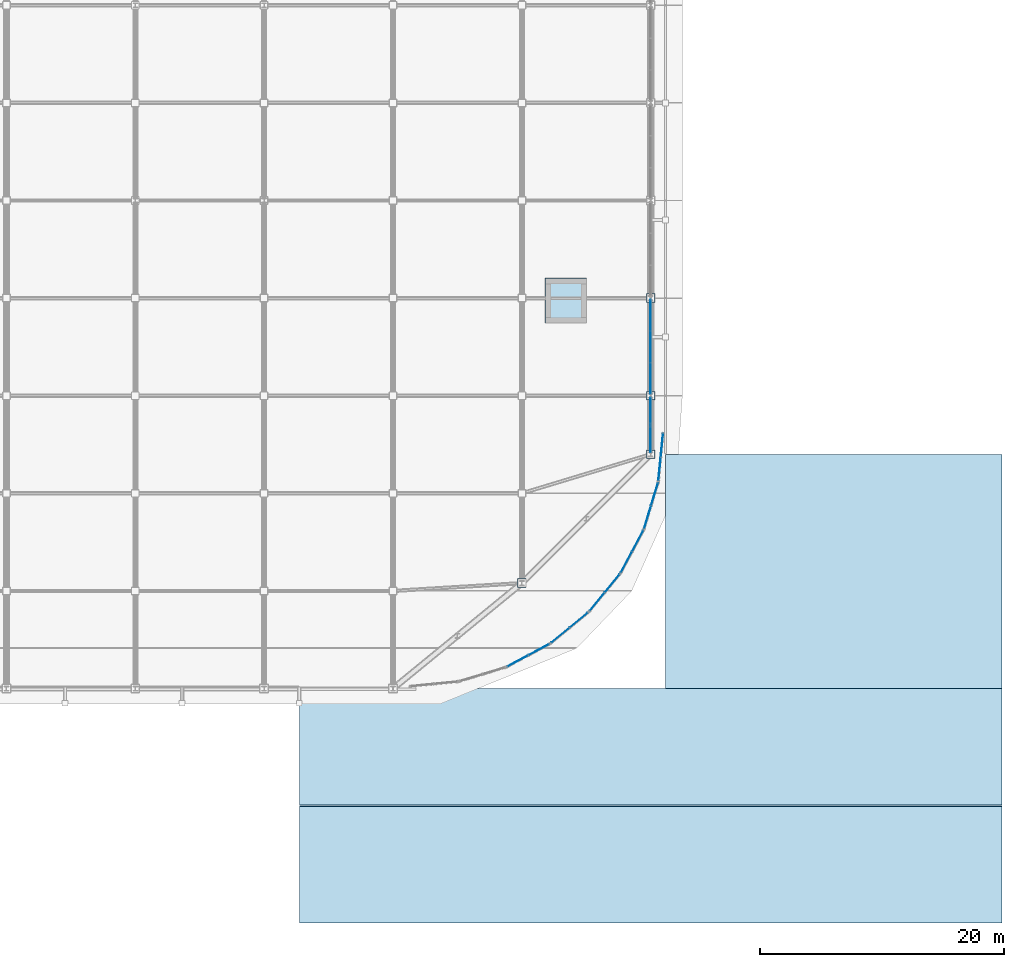
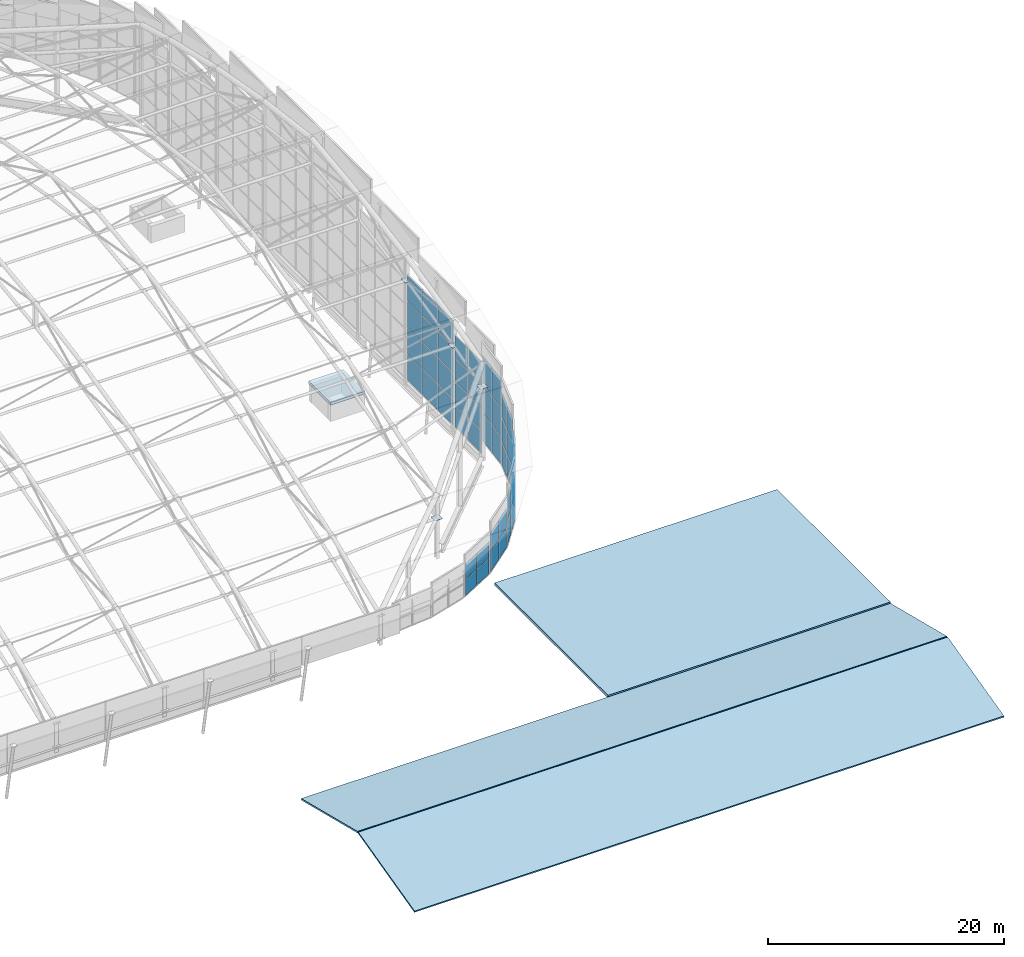
# One storey, part 34 of 42: 54 plates, 4 slabs, 9 elements without a shape of their own.
"""IFC4 building model written with IfcOpenShell, lengths in metres."""

import ifcopenshell
import ifcopenshell.guid

model = None  # the IFC model being written
_history = None  # IfcOwnerHistory: only IFC2X3 demands one
_inside = {}  # id of a spatial element -> (the spatial element, [elements in it])
_under = {}  # id of a project, library or spatial element -> (it, [spatial elements below it])
_declared = {}  # id of a project -> (the project, [libraries it declares])
_typed = {}  # id of a type object -> (the type object, [elements of that type])
_made_of = {}  # id of a material, layer set ... -> (it, [elements and type objects made of it])


def new_model(schema):
    """Start an empty IFC model of exactly this schema.

    Asked for "IFC4X3", IfcOpenShell would pick the latest addendum, in which some entities
    have other attributes; the version numbers below select the first issue.
    IFC2X3 requires an IfcOwnerHistory on every rooted entity: one is made here for all.
    """
    global model, _history
    if schema == "IFC4X3":
        model = ifcopenshell.file(schema_version=(4, 3, 0, 0))
    else:
        model = ifcopenshell.file(schema=schema)
    _inside.clear()
    _under.clear()
    _declared.clear()
    _typed.clear()
    _made_of.clear()
    _history = None
    if model.schema == "IFC2X3":
        org = make("IfcOrganization", Name="unknown")
        user = make(
            "IfcPersonAndOrganization",
            ThePerson=make("IfcPerson", FamilyName="unknown"),
            TheOrganization=org,
        )
        app = make(
            "IfcApplication",
            ApplicationDeveloper=org,
            Version="unknown",
            ApplicationFullName="unknown",
            ApplicationIdentifier="unknown",
        )
        _history = make(
            "IfcOwnerHistory",
            OwningUser=user,
            OwningApplication=app,
            ChangeAction="ADDED",
            CreationDate=0,
        )
    return model


def make(cls, **values):
    """One entity of the class cls with the attributes given. An attribute that is None is left unset."""
    return model.create_entity(
        cls, **{name: value for name, value in values.items() if value is not None}
    )


def rooted(cls, **values):
    """An entity with a GlobalId (a new one), such as an element, a storey or a relation."""
    return make(cls, GlobalId=ifcopenshell.guid.new(), OwnerHistory=_history, **values)


def si_unit(unit_type, name, prefix=None):
    """IfcSIUnit, for example si_unit("LENGTHUNIT", "METRE", prefix="MILLI")."""
    return make("IfcSIUnit", UnitType=unit_type, Prefix=prefix, Name=name)


def assignment(units):
    """IfcUnitAssignment: the units of a project."""
    return None if units is None else make("IfcUnitAssignment", Units=units)


def point(xyz):
    """IfcCartesianPoint."""
    return None if xyz is None else make("IfcCartesianPoint", Coordinates=xyz)


def direction(xyz):
    """IfcDirection."""
    return None if xyz is None else make("IfcDirection", DirectionRatios=xyz)


def frame(location, z_axis=None, x_axis=None):
    """IfcAxis2Placement3D, a coordinate frame: its origin and axes. An axis left out is left unset."""
    return make(
        "IfcAxis2Placement3D",
        Location=point(location),
        Axis=direction(z_axis),
        RefDirection=direction(x_axis),
    )


def frame_2d(location, x_axis=None):
    """IfcAxis2Placement2D, a coordinate frame in the plane: its origin and x axis."""
    return make(
        "IfcAxis2Placement2D", Location=point(location), RefDirection=direction(x_axis)
    )


def origin():
    """The frame at (0, 0, 0) with its axes left unset."""
    return frame((0.0, 0.0, 0.0))


def origin_2d():
    """The frame at (0, 0) in the plane with its x axis left unset."""
    return frame_2d((0.0, 0.0))


def place(relative_to, where):
    """IfcLocalPlacement: puts the frame where relative to a parent placement (None: the world)."""
    return make(
        "IfcLocalPlacement", PlacementRelTo=relative_to, RelativePlacement=where
    )


def context(
    kind, dimensions, precision=None, world=None, true_north=None, identifier=None
):
    """IfcGeometricRepresentationContext, for example the 3D "Model" context."""
    return make(
        "IfcGeometricRepresentationContext",
        ContextIdentifier=identifier,
        ContextType=kind,
        CoordinateSpaceDimension=dimensions,
        Precision=precision,
        WorldCoordinateSystem=world,
        TrueNorth=true_north,
    )


def subcontext(parent, identifier, kind, view, scale=None):
    """IfcGeometricRepresentationSubContext, for example "Body" below "Model"."""
    return make(
        "IfcGeometricRepresentationSubContext",
        ContextIdentifier=identifier,
        ContextType=kind,
        ParentContext=parent,
        TargetScale=scale,
        TargetView=view,
    )


def project(units=None, contexts=None):
    """IfcProject with its units and contexts."""
    return rooted(
        "IfcProject",
        Name="project",
        RepresentationContexts=contexts,
        UnitsInContext=assignment(units),
    )


def spatial(cls, under=None, at=None, **own):
    """A site, building, storey or space (cls), placed at a placement, below another one or the project."""
    s = rooted(cls, ObjectPlacement=at, **own)
    if under is not None:
        _under.setdefault(under.id(), (under, []))[1].append(s)
    return s


def polyline(points):
    """IfcPolyline through the points."""
    return make("IfcPolyline", Points=[point(p) for p in points])


def profile(cls, at=None, kind="AREA", **sizes):
    """A parametric profile (cls). Its sizes go by their IFC names, for example OverallWidth=200.0."""
    return make(cls, ProfileType=kind, Position=at, **sizes)


def rectangle(**sizes):
    """IfcRectangleProfileDef."""
    return profile("IfcRectangleProfileDef", **sizes)


def outline(outer, holes=None, kind="AREA"):
    """IfcArbitraryClosedProfileDef: a profile drawn as a closed curve; with holes, ...WithVoids."""
    if holes is None:
        return make("IfcArbitraryClosedProfileDef", ProfileType=kind, OuterCurve=outer)
    return make(
        "IfcArbitraryProfileDefWithVoids",
        ProfileType=kind,
        OuterCurve=outer,
        InnerCurves=holes,
    )


def extrude(swept, where, along, depth):
    """IfcExtrudedAreaSolid: the profile swept, set in the frame where, extruded along a direction by depth."""
    return make(
        "IfcExtrudedAreaSolid",
        SweptArea=swept,
        Position=where,
        ExtrudedDirection=direction(along),
        Depth=depth,
    )


def shape(context_of_items, identifier, shape_type, items):
    """IfcShapeRepresentation: the items that make up one representation, for example the "Body"."""
    return make(
        "IfcShapeRepresentation",
        ContextOfItems=context_of_items,
        RepresentationIdentifier=identifier,
        RepresentationType=shape_type,
        Items=items,
    )


def material(Name=None, Category=None):
    """IfcMaterial."""
    return make("IfcMaterial", Name=Name, Category=Category)


def layer(
    of_material, thickness, ventilated=None, Name=None, Category=None, Priority=None
):
    """IfcMaterialLayer: one layer of a wall or slab, of a material (None: an air gap)."""
    return make(
        "IfcMaterialLayer",
        Material=of_material,
        LayerThickness=thickness,
        IsVentilated=ventilated,
        Name=Name,
        Category=Category,
        Priority=Priority,
    )


def layer_set(layers, Name=None):
    """IfcMaterialLayerSet."""
    return make("IfcMaterialLayerSet", MaterialLayers=layers, LayerSetName=Name)


def made_of(thing, what):
    """Note that an element or type object is made of a material, layer set ...; save() writes the relation."""
    if what is not None:
        _made_of.setdefault(what.id(), (what, []))[1].append(thing)
    return thing


def type_object(cls, material=None, **own):
    """A type object (cls), such as IfcWallType, which elements share."""
    return made_of(rooted(cls, **own), material)


def element(
    cls,
    number,
    at=None,
    inside=None,
    cuts=None,
    type_object=None,
    material=None,
    context=None,
    identifier="Body",
    shape_type=None,
    held_by="IfcProductDefinitionShape",
    body=None,
    shapes=None,
    **own,
):
    """One element of the class cls, such as IfcWall. Its Tag is "e" and its number.

    at: its placement. inside: the storey or other place that contains it. cuts: it is an
    opening in that element (IfcRelVoidsElement). A single representation is given by context,
    identifier, shape_type and body (its items); several are given by shapes. held_by: the class
    of the entity that holds the representations. save() writes the other relations.
    """
    e = rooted(cls, Tag="e%d" % number, ObjectPlacement=at, **own)
    if body is not None:
        shapes = [shape(context, identifier, shape_type, body)]
    if shapes is not None:
        e.Representation = make(held_by, Representations=shapes)
    if inside is not None:
        _inside.setdefault(inside.id(), (inside, []))[1].append(e)
    if cuts is not None:
        rooted(
            "IfcRelVoidsElement", RelatingBuildingElement=cuts, RelatedOpeningElement=e
        )
    if type_object is not None:
        _typed.setdefault(type_object.id(), (type_object, []))[1].append(e)
    return made_of(e, material)


def aggregate(whole, parts):
    """IfcRelAggregates: a whole, such as a stair, and the parts it consists of."""
    return rooted("IfcRelAggregates", RelatingObject=whole, RelatedObjects=parts)


def save(model, path):
    """Write the relations noted so far, then the file.

    IfcRelAggregates (storeys below a building ...), IfcRelContainedInSpatialStructure (elements
    in a storey), IfcRelDefinesByType, IfcRelAssociatesMaterial and IfcRelDeclares: one each for
    every whole, place, type object, material and project.
    """
    for whole, parts in _under.values():
        aggregate(whole, parts)
    for where, things in _inside.values():
        rooted(
            "IfcRelContainedInSpatialStructure",
            RelatedElements=things,
            RelatingStructure=where,
        )
    for kind, things in _typed.values():
        rooted("IfcRelDefinesByType", RelatedObjects=things, RelatingType=kind)
    for what, things in _made_of.values():
        rooted("IfcRelAssociatesMaterial", RelatedObjects=things, RelatingMaterial=what)
    for by, libraries in _declared.values():
        rooted("IfcRelDeclares", RelatingContext=by, RelatedDefinitions=libraries)
    model.write(path)


model = new_model("IFC4")

# Units and contexts
model_context = context("Model", 3, precision=1e-05, world=origin(), true_north=direction((0.0, 1.0)))
body_context = subcontext(model_context, "Body", "Model", "MODEL_VIEW")
ifc_project = project(units=[si_unit("LENGTHUNIT", "METRE"), si_unit("AREAUNIT", "SQUARE_METRE"), si_unit("VOLUMEUNIT", "CUBIC_METRE"), si_unit("PLANEANGLEUNIT", "RADIAN"), si_unit("MASSUNIT", "GRAM", prefix="KILO")], contexts=[model_context])

# Site, building, storey
site_placement = place(None, origin())
site = spatial("IfcSite", under=ifc_project, at=site_placement, CompositionType="ELEMENT")
building_placement = place(site_placement, origin())
building = spatial("IfcBuilding", under=site, at=building_placement, Name="Caelomonte Colonnade Arena", CompositionType="ELEMENT")
storey_placement = place(building_placement, frame((0.0, 0.0, 28.199951171875)))
storey = spatial("IfcBuildingStorey", under=building, at=storey_placement, Name="RF", CompositionType="ELEMENT", Elevation=28.199951171875)

# Curtain wall, plates
ifc_material_1 = material(Name="Bronze anodised aluminium and low-E glazing", Category="aluminium")
ifc_layer_1 = layer(ifc_material_1, 0.179931640625)
ifc_layer_set_1 = layer_set([ifc_layer_1], Name="Bronze anodised aluminium and low-E glazing")
curtain_wall_type_1 = type_object("IfcCurtainWallType", Name="ENV-CW-CW-TYMP-01", PredefinedType="USERDEFINED", material=ifc_layer_set_1)
curtain_wall_1_placement = place(storey_placement, origin())
curtain_wall_1 = element("IfcCurtainWall", 1, at=curtain_wall_1_placement, inside=storey, type_object=curtain_wall_type_1, Name="Barrel arch E clerestory tympanum curtain wall 1", ObjectType="UNITIZED CURTAIN WALL", PredefinedType="USERDEFINED")
ifc_material_2 = material(Name="Solar-control bronze low-E double glazing", Category="glass")
ifc_layer_2 = layer(ifc_material_2, 0.035888671875)
ifc_layer_set_2 = layer_set([ifc_layer_2], Name="Solar-control bronze low-E double glazing")
plate_type_1 = type_object("IfcPlateType", Name="ENV-CW-PAN36", PredefinedType="CURTAIN_PANEL", material=ifc_layer_set_2)
plate_1_placement = place(storey_placement, frame((163.199951171875, 39.657470703125, -0.080078125), z_axis=(0.0, 0.0, 1.0), x_axis=(0.0, 1.0, 0.0)))
plate_1 = element("IfcPlate", 2, at=plate_1_placement, type_object=plate_type_1, Name="CW-TYMP-01 panel 1.1", PredefinedType="CURTAIN_PANEL", context=body_context, shape_type="SweptSolid", body=[
    extrude(rectangle(XDim=2.215087890625, YDim=0.035888671875, at=origin_2d()), origin(), (0.0, 0.0, 1.0), 2.298583984375),
])
plate_2_placement = place(storey_placement, frame((163.199951171875, 39.657470703125, 2.28857421875), z_axis=(0.0, 0.0, 1.0), x_axis=(0.0, 1.0, 0.0)))
plate_2 = element("IfcPlate", 3, at=plate_2_placement, type_object=plate_type_1, Name="CW-TYMP-01 panel 1.2", PredefinedType="CURTAIN_PANEL", context=body_context, shape_type="SweptSolid", body=[
    extrude(rectangle(XDim=2.215087890625, YDim=0.035888671875, at=origin_2d()), origin(), (0.0, 0.0, 1.0), 2.333740234375),
])
plate_3_placement = place(storey_placement, frame((163.199951171875, 39.657470703125, 4.6923828125), z_axis=(0.0, 0.0, 1.0), x_axis=(0.0, 1.0, 0.0)))
plate_3 = element("IfcPlate", 4, at=plate_3_placement, type_object=plate_type_1, Name="CW-TYMP-01 panel 1.3", PredefinedType="CURTAIN_PANEL", context=body_context, shape_type="SweptSolid", body=[
    extrude(rectangle(XDim=2.215087890625, YDim=0.035888671875, at=origin_2d()), origin(), (0.0, 0.0, 1.0), 2.333740234375),
])
plate_4_placement = place(storey_placement, frame((163.199951171875, 39.657470703125, 7.09619140625), z_axis=(0.0, 0.0, 1.0), x_axis=(0.0, 1.0, 0.0)))
plate_4 = element("IfcPlate", 5, at=plate_4_placement, type_object=plate_type_1, Name="CW-TYMP-01 panel 1.4", PredefinedType="CURTAIN_PANEL", context=body_context, shape_type="SweptSolid", body=[
    extrude(rectangle(XDim=2.215087890625, YDim=0.035888671875, at=origin_2d()), origin(), (0.0, 0.0, 1.0), 2.298583984375),
])
plate_5_placement = place(storey_placement, frame((163.199951171875, 41.9423828125, -0.080078125), z_axis=(0.0, 0.0, 1.0), x_axis=(0.0, 1.0, 0.0)))
plate_5 = element("IfcPlate", 6, at=plate_5_placement, type_object=plate_type_1, Name="CW-TYMP-01 panel 2.1", PredefinedType="CURTAIN_PANEL", context=body_context, shape_type="SweptSolid", body=[
    extrude(rectangle(XDim=2.215087890625, YDim=0.035888671875, at=origin_2d()), origin(), (0.0, 0.0, 1.0), 2.298583984375),
])
plate_6_placement = place(storey_placement, frame((163.199951171875, 41.9423828125, 2.28857421875), z_axis=(0.0, 0.0, 1.0), x_axis=(0.0, 1.0, 0.0)))
plate_6 = element("IfcPlate", 7, at=plate_6_placement, type_object=plate_type_1, Name="CW-TYMP-01 panel 2.2", PredefinedType="CURTAIN_PANEL", context=body_context, shape_type="SweptSolid", body=[
    extrude(rectangle(XDim=2.215087890625, YDim=0.035888671875, at=origin_2d()), origin(), (0.0, 0.0, 1.0), 2.333740234375),
])
plate_7_placement = place(storey_placement, frame((163.199951171875, 41.9423828125, 4.6923828125), z_axis=(0.0, 0.0, 1.0), x_axis=(0.0, 1.0, 0.0)))
plate_7 = element("IfcPlate", 8, at=plate_7_placement, type_object=plate_type_1, Name="CW-TYMP-01 panel 2.3", PredefinedType="CURTAIN_PANEL", context=body_context, shape_type="SweptSolid", body=[
    extrude(rectangle(XDim=2.215087890625, YDim=0.035888671875, at=origin_2d()), origin(), (0.0, 0.0, 1.0), 2.333740234375),
])
plate_8_placement = place(storey_placement, frame((163.199951171875, 41.9423828125, 7.09619140625), z_axis=(0.0, 0.0, 1.0), x_axis=(0.0, 1.0, 0.0)))
plate_8 = element("IfcPlate", 9, at=plate_8_placement, type_object=plate_type_1, Name="CW-TYMP-01 panel 2.4", PredefinedType="CURTAIN_PANEL", context=body_context, shape_type="SweptSolid", body=[
    extrude(rectangle(XDim=2.215087890625, YDim=0.035888671875, at=origin_2d()), origin(), (0.0, 0.0, 1.0), 2.298583984375),
])
aggregate(curtain_wall_1, [plate_1, plate_2, plate_3, plate_4, plate_5, plate_6, plate_7, plate_8])

ifc_layer_3 = layer(ifc_material_1, 0.179931640625)
ifc_layer_set_3 = layer_set([ifc_layer_3], Name="Bronze anodised aluminium and low-E glazing")
curtain_wall_type_2 = type_object("IfcCurtainWallType", Name="ENV-CW-CW-TYMP-02", PredefinedType="USERDEFINED", material=ifc_layer_set_3)
curtain_wall_2_placement = place(storey_placement, origin())
curtain_wall_2 = element("IfcCurtainWall", 10, at=curtain_wall_2_placement, inside=storey, type_object=curtain_wall_type_2, Name="Barrel arch E clerestory tympanum curtain wall 2", ObjectType="UNITIZED CURTAIN WALL", PredefinedType="USERDEFINED")
plate_9_placement = place(storey_placement, frame((163.199951171875, 44.604248046875, -0.079833984375), z_axis=(0.0, 0.0, 1.0), x_axis=(0.0, 1.0, 0.0)))
plate_9 = element("IfcPlate", 11, at=plate_9_placement, type_object=plate_type_1, Name="CW-TYMP-02 panel 1.1", PredefinedType="CURTAIN_PANEL", context=body_context, shape_type="SweptSolid", body=[
    extrude(rectangle(XDim=2.50830078125, YDim=0.035888671875, at=origin_2d()), origin(), (0.0, 0.0, 1.0), 2.63330078125),
])
plate_10_placement = place(storey_placement, frame((163.199951171875, 44.604248046875, 2.62353515625), z_axis=(0.0, 0.0, 1.0), x_axis=(0.0, 1.0, 0.0)))
plate_10 = element("IfcPlate", 12, at=plate_10_placement, type_object=plate_type_1, Name="CW-TYMP-02 panel 1.2", PredefinedType="CURTAIN_PANEL", context=body_context, shape_type="SweptSolid", body=[
    extrude(rectangle(XDim=2.50830078125, YDim=0.035888671875, at=origin_2d()), origin(), (0.0, 0.0, 1.0), 2.668212890625),
])
plate_11_placement = place(storey_placement, frame((163.199951171875, 44.604248046875, 5.361328125), z_axis=(0.0, 0.0, 1.0), x_axis=(0.0, 1.0, 0.0)))
plate_11 = element("IfcPlate", 13, at=plate_11_placement, type_object=plate_type_1, Name="CW-TYMP-02 panel 1.3", PredefinedType="CURTAIN_PANEL", context=body_context, shape_type="SweptSolid", body=[
    extrude(rectangle(XDim=2.50830078125, YDim=0.035888671875, at=origin_2d()), origin(), (0.0, 0.0, 1.0), 2.668212890625),
])
plate_12_placement = place(storey_placement, frame((163.199951171875, 44.604248046875, 8.099853515625), z_axis=(0.0, 0.0, 1.0), x_axis=(0.0, 1.0, 0.0)))
plate_12 = element("IfcPlate", 14, at=plate_12_placement, type_object=plate_type_1, Name="CW-TYMP-02 panel 1.4", PredefinedType="CURTAIN_PANEL", context=body_context, shape_type="SweptSolid", body=[
    extrude(rectangle(XDim=2.50830078125, YDim=0.035888671875, at=origin_2d()), origin(), (0.0, 0.0, 1.0), 2.63330078125),
])
plate_13_placement = place(storey_placement, frame((163.199951171875, 47.199951171875, -0.079833984375), z_axis=(0.0, 0.0, 1.0), x_axis=(0.0, 1.0, 0.0)))
plate_13 = element("IfcPlate", 15, at=plate_13_placement, type_object=plate_type_1, Name="CW-TYMP-02 panel 2.1", PredefinedType="CURTAIN_PANEL", context=body_context, shape_type="SweptSolid", body=[
    extrude(rectangle(XDim=2.543212890625, YDim=0.035888671875, at=origin_2d()), origin(), (0.0, 0.0, 1.0), 2.63330078125),
])
plate_14_placement = place(storey_placement, frame((163.199951171875, 47.199951171875, 2.62353515625), z_axis=(0.0, 0.0, 1.0), x_axis=(0.0, 1.0, 0.0)))
plate_14 = element("IfcPlate", 16, at=plate_14_placement, type_object=plate_type_1, Name="CW-TYMP-02 panel 2.2", PredefinedType="CURTAIN_PANEL", context=body_context, shape_type="SweptSolid", body=[
    extrude(rectangle(XDim=2.543212890625, YDim=0.035888671875, at=origin_2d()), origin(), (0.0, 0.0, 1.0), 2.668212890625),
])
plate_15_placement = place(storey_placement, frame((163.199951171875, 47.199951171875, 5.361328125), z_axis=(0.0, 0.0, 1.0), x_axis=(0.0, 1.0, 0.0)))
plate_15 = element("IfcPlate", 17, at=plate_15_placement, type_object=plate_type_1, Name="CW-TYMP-02 panel 2.3", PredefinedType="CURTAIN_PANEL", context=body_context, shape_type="SweptSolid", body=[
    extrude(rectangle(XDim=2.543212890625, YDim=0.035888671875, at=origin_2d()), origin(), (0.0, 0.0, 1.0), 2.668212890625),
])
plate_16_placement = place(storey_placement, frame((163.199951171875, 47.199951171875, 8.099853515625), z_axis=(0.0, 0.0, 1.0), x_axis=(0.0, 1.0, 0.0)))
plate_16 = element("IfcPlate", 18, at=plate_16_placement, type_object=plate_type_1, Name="CW-TYMP-02 panel 2.4", PredefinedType="CURTAIN_PANEL", context=body_context, shape_type="SweptSolid", body=[
    extrude(rectangle(XDim=2.543212890625, YDim=0.035888671875, at=origin_2d()), origin(), (0.0, 0.0, 1.0), 2.63330078125),
])
plate_17_placement = place(storey_placement, frame((163.199951171875, 49.7958984375, -0.079833984375), z_axis=(0.0, 0.0, 1.0), x_axis=(0.0, 1.0, 0.0)))
plate_17 = element("IfcPlate", 19, at=plate_17_placement, type_object=plate_type_1, Name="CW-TYMP-02 panel 3.1", PredefinedType="CURTAIN_PANEL", context=body_context, shape_type="SweptSolid", body=[
    extrude(rectangle(XDim=2.50830078125, YDim=0.035888671875, at=origin_2d()), origin(), (0.0, 0.0, 1.0), 2.63330078125),
])
plate_18_placement = place(storey_placement, frame((163.199951171875, 49.7958984375, 2.62353515625), z_axis=(0.0, 0.0, 1.0), x_axis=(0.0, 1.0, 0.0)))
plate_18 = element("IfcPlate", 20, at=plate_18_placement, type_object=plate_type_1, Name="CW-TYMP-02 panel 3.2", PredefinedType="CURTAIN_PANEL", context=body_context, shape_type="SweptSolid", body=[
    extrude(rectangle(XDim=2.50830078125, YDim=0.035888671875, at=origin_2d()), origin(), (0.0, 0.0, 1.0), 2.668212890625),
])
plate_19_placement = place(storey_placement, frame((163.199951171875, 49.7958984375, 5.361328125), z_axis=(0.0, 0.0, 1.0), x_axis=(0.0, 1.0, 0.0)))
plate_19 = element("IfcPlate", 21, at=plate_19_placement, type_object=plate_type_1, Name="CW-TYMP-02 panel 3.3", PredefinedType="CURTAIN_PANEL", context=body_context, shape_type="SweptSolid", body=[
    extrude(rectangle(XDim=2.50830078125, YDim=0.035888671875, at=origin_2d()), origin(), (0.0, 0.0, 1.0), 2.668212890625),
])
plate_20_placement = place(storey_placement, frame((163.199951171875, 49.7958984375, 8.099853515625), z_axis=(0.0, 0.0, 1.0), x_axis=(0.0, 1.0, 0.0)))
plate_20 = element("IfcPlate", 22, at=plate_20_placement, type_object=plate_type_1, Name="CW-TYMP-02 panel 3.4", PredefinedType="CURTAIN_PANEL", context=body_context, shape_type="SweptSolid", body=[
    extrude(rectangle(XDim=2.50830078125, YDim=0.035888671875, at=origin_2d()), origin(), (0.0, 0.0, 1.0), 2.63330078125),
])
aggregate(curtain_wall_2, [plate_9, plate_10, plate_11, plate_12, plate_13, plate_14, plate_15, plate_16, plate_17, plate_18, plate_19, plate_20])

ifc_layer_4 = layer(ifc_material_1, 0.179931640625)
ifc_layer_set_4 = layer_set([ifc_layer_4], Name="Bronze anodised aluminium and low-E glazing")
curtain_wall_type_3 = type_object("IfcCurtainWallType", Name="ENV-CW-CW-TYMPC-03-34", PredefinedType="USERDEFINED", material=ifc_layer_set_4)
curtain_wall_3_placement = place(storey_placement, origin())
curtain_wall_3 = element("IfcCurtainWall", 23, at=curtain_wall_3_placement, inside=storey, type_object=curtain_wall_type_3, Name="Barrel arch rounded corner clerestory curtain wall 3", ObjectType="UNITIZED CURTAIN WALL", PredefinedType="USERDEFINED")
plate_21_placement = place(storey_placement, frame((152.304931640625, 21.4658203125, -0.080078125), z_axis=(0.0, 0.0, 1.0), x_axis=(0.881924283795, 0.471391087795, 0.0)))
plate_21 = element("IfcPlate", 24, at=plate_21_placement, type_object=plate_type_1, Name="CW-TYMPC-03-34 panel 1.1", PredefinedType="CURTAIN_PANEL", context=body_context, shape_type="SweptSolid", body=[
    extrude(rectangle(XDim=1.8857421875, YDim=0.035888671875, at=origin_2d()), origin(), (0.0, 0.0, 1.0), 1.614990234375),
])
plate_22_placement = place(storey_placement, frame((152.304931640625, 21.4658203125, 1.60498046875), z_axis=(0.0, 0.0, 1.0), x_axis=(0.881924283795, 0.471391087795, 0.0)))
plate_22 = element("IfcPlate", 25, at=plate_22_placement, type_object=plate_type_1, Name="CW-TYMPC-03-34 panel 1.2", PredefinedType="CURTAIN_PANEL", context=body_context, shape_type="SweptSolid", body=[
    extrude(rectangle(XDim=1.8857421875, YDim=0.035888671875, at=origin_2d()), origin(), (0.0, 0.0, 1.0), 1.614990234375),
])
plate_23_placement = place(storey_placement, frame((154.029541015625, 22.3876953125, -0.080078125), z_axis=(0.0, 0.0, 1.0), x_axis=(0.881924283795, 0.471391087795, 0.0)))
plate_23 = element("IfcPlate", 26, at=plate_23_placement, type_object=plate_type_1, Name="CW-TYMPC-03-34 panel 2.1", PredefinedType="CURTAIN_PANEL", context=body_context, shape_type="SweptSolid", body=[
    extrude(rectangle(XDim=1.8857421875, YDim=0.035888671875, at=origin_2d()), origin(), (0.0, 0.0, 1.0), 1.614990234375),
])
plate_24_placement = place(storey_placement, frame((154.029541015625, 22.3876953125, 1.60498046875), z_axis=(0.0, 0.0, 1.0), x_axis=(0.881924283795, 0.471391087795, 0.0)))
plate_24 = element("IfcPlate", 27, at=plate_24_placement, type_object=plate_type_1, Name="CW-TYMPC-03-34 panel 2.2", PredefinedType="CURTAIN_PANEL", context=body_context, shape_type="SweptSolid", body=[
    extrude(rectangle(XDim=1.8857421875, YDim=0.035888671875, at=origin_2d()), origin(), (0.0, 0.0, 1.0), 1.614990234375),
])
aggregate(curtain_wall_3, [plate_21, plate_22, plate_23, plate_24])

ifc_layer_5 = layer(ifc_material_1, 0.179931640625)
ifc_layer_set_5 = layer_set([ifc_layer_5], Name="Bronze anodised aluminium and low-E glazing")
curtain_wall_type_4 = type_object("IfcCurtainWallType", Name="ENV-CW-CW-TYMPC-04-42", PredefinedType="USERDEFINED", material=ifc_layer_set_5)
curtain_wall_4_placement = place(storey_placement, origin())
curtain_wall_4 = element("IfcCurtainWall", 28, at=curtain_wall_4_placement, inside=storey, type_object=curtain_wall_type_4, Name="Barrel arch rounded corner clerestory curtain wall 4", ObjectType="UNITIZED CURTAIN WALL", PredefinedType="USERDEFINED")
plate_25_placement = place(storey_placement, frame((155.78857421875, 23.56298828125, -0.080078125), z_axis=(0.0, 0.0, 1.0), x_axis=(0.773000731835, 0.634405129694, 0.0)))
plate_25 = element("IfcPlate", 29, at=plate_25_placement, type_object=plate_type_1, Name="CW-TYMPC-04-42 panel 1.1", PredefinedType="CURTAIN_PANEL", context=body_context, shape_type="SweptSolid", body=[
    extrude(rectangle(XDim=1.8857421875, YDim=0.035888671875, at=origin_2d()), origin(), (0.0, 0.0, 1.0), 2.00634765625),
])
plate_26_placement = place(storey_placement, frame((155.78857421875, 23.56298828125, 1.99658203125), z_axis=(0.0, 0.0, 1.0), x_axis=(0.773000731835, 0.634405129694, 0.0)))
plate_26 = element("IfcPlate", 30, at=plate_26_placement, type_object=plate_type_1, Name="CW-TYMPC-04-42 panel 1.2", PredefinedType="CURTAIN_PANEL", context=body_context, shape_type="SweptSolid", body=[
    extrude(rectangle(XDim=1.8857421875, YDim=0.035888671875, at=origin_2d()), origin(), (0.0, 0.0, 1.0), 2.006103515625),
])
plate_27_placement = place(storey_placement, frame((157.30029296875, 24.8037109375, -0.080078125), z_axis=(0.0, 0.0, 1.0), x_axis=(0.773000731835, 0.634405129694, 0.0)))
plate_27 = element("IfcPlate", 31, at=plate_27_placement, type_object=plate_type_1, Name="CW-TYMPC-04-42 panel 2.1", PredefinedType="CURTAIN_PANEL", context=body_context, shape_type="SweptSolid", body=[
    extrude(rectangle(XDim=1.8857421875, YDim=0.035888671875, at=origin_2d()), origin(), (0.0, 0.0, 1.0), 2.00634765625),
])
plate_28_placement = place(storey_placement, frame((157.30029296875, 24.8037109375, 1.99658203125), z_axis=(0.0, 0.0, 1.0), x_axis=(0.773000731835, 0.634405129694, 0.0)))
plate_28 = element("IfcPlate", 32, at=plate_28_placement, type_object=plate_type_1, Name="CW-TYMPC-04-42 panel 2.2", PredefinedType="CURTAIN_PANEL", context=body_context, shape_type="SweptSolid", body=[
    extrude(rectangle(XDim=1.8857421875, YDim=0.035888671875, at=origin_2d()), origin(), (0.0, 0.0, 1.0), 2.006103515625),
])
aggregate(curtain_wall_4, [plate_25, plate_26, plate_27, plate_28])

ifc_layer_6 = layer(ifc_material_1, 0.179931640625)
ifc_layer_set_6 = layer_set([ifc_layer_6], Name="Bronze anodised aluminium and low-E glazing")
curtain_wall_type_5 = type_object("IfcCurtainWallType", Name="ENV-CW-CW-TYMPC-04-52", PredefinedType="USERDEFINED", material=ifc_layer_set_6)
curtain_wall_5_placement = place(storey_placement, origin())
curtain_wall_5 = element("IfcCurtainWall", 33, at=curtain_wall_5_placement, inside=storey, type_object=curtain_wall_type_5, Name="Barrel arch rounded corner clerestory curtain wall 5", ObjectType="UNITIZED CURTAIN WALL", PredefinedType="USERDEFINED")
plate_29_placement = place(storey_placement, frame((158.796142578125, 26.299560546875, -0.080078125), z_axis=(0.0, 0.0, 1.0), x_axis=(0.634405129694, 0.773000731835, 0.0)))
plate_29 = element("IfcPlate", 34, at=plate_29_placement, type_object=plate_type_1, Name="CW-TYMPC-04-52 panel 1.1", PredefinedType="CURTAIN_PANEL", context=body_context, shape_type="SweptSolid", body=[
    extrude(rectangle(XDim=1.8857421875, YDim=0.035888671875, at=origin_2d()), origin(), (0.0, 0.0, 1.0), 2.51318359375),
])
plate_30_placement = place(storey_placement, frame((158.796142578125, 26.299560546875, 2.50341796875), z_axis=(0.0, 0.0, 1.0), x_axis=(0.634405129694, 0.773000731835, 0.0)))
plate_30 = element("IfcPlate", 35, at=plate_30_placement, type_object=plate_type_1, Name="CW-TYMPC-04-52 panel 1.2", PredefinedType="CURTAIN_PANEL", context=body_context, shape_type="SweptSolid", body=[
    extrude(rectangle(XDim=1.8857421875, YDim=0.035888671875, at=origin_2d()), origin(), (0.0, 0.0, 1.0), 2.512939453125),
])
plate_31_placement = place(storey_placement, frame((160.036865234375, 27.811279296875, -0.080078125), z_axis=(0.0, 0.0, 1.0), x_axis=(0.634405129694, 0.773000731835, 0.0)))
plate_31 = element("IfcPlate", 36, at=plate_31_placement, type_object=plate_type_1, Name="CW-TYMPC-04-52 panel 2.1", PredefinedType="CURTAIN_PANEL", context=body_context, shape_type="SweptSolid", body=[
    extrude(rectangle(XDim=1.8857421875, YDim=0.035888671875, at=origin_2d()), origin(), (0.0, 0.0, 1.0), 2.51318359375),
])
plate_32_placement = place(storey_placement, frame((160.036865234375, 27.811279296875, 2.50341796875), z_axis=(0.0, 0.0, 1.0), x_axis=(0.634405129694, 0.773000731835, 0.0)))
plate_32 = element("IfcPlate", 37, at=plate_32_placement, type_object=plate_type_1, Name="CW-TYMPC-04-52 panel 2.2", PredefinedType="CURTAIN_PANEL", context=body_context, shape_type="SweptSolid", body=[
    extrude(rectangle(XDim=1.8857421875, YDim=0.035888671875, at=origin_2d()), origin(), (0.0, 0.0, 1.0), 2.512939453125),
])
aggregate(curtain_wall_5, [plate_29, plate_30, plate_31, plate_32])

ifc_layer_7 = layer(ifc_material_1, 0.179931640625)
ifc_layer_set_7 = layer_set([ifc_layer_7], Name="Bronze anodised aluminium and low-E glazing")
curtain_wall_type_6 = type_object("IfcCurtainWallType", Name="ENV-CW-CW-TYMPC-03-64", PredefinedType="USERDEFINED", material=ifc_layer_set_7)
curtain_wall_6_placement = place(storey_placement, origin())
curtain_wall_6 = element("IfcCurtainWall", 38, at=curtain_wall_6_placement, inside=storey, type_object=curtain_wall_type_6, Name="Barrel arch rounded corner clerestory curtain wall 6", ObjectType="UNITIZED CURTAIN WALL", PredefinedType="USERDEFINED")
plate_33_placement = place(storey_placement, frame((161.212158203125, 29.5703125, -0.080078125), z_axis=(0.0, 0.0, 1.0), x_axis=(0.471391087795, 0.881924283795, 0.0)))
plate_33 = element("IfcPlate", 39, at=plate_33_placement, type_object=plate_type_1, Name="CW-TYMPC-03-64 panel 1.1", PredefinedType="CURTAIN_PANEL", context=body_context, shape_type="SweptSolid", body=[
    extrude(rectangle(XDim=1.8857421875, YDim=0.035888671875, at=origin_2d()), origin(), (0.0, 0.0, 1.0), 2.031494140625),
])
plate_34_placement = place(storey_placement, frame((161.212158203125, 29.5703125, 2.021728515625), z_axis=(0.0, 0.0, 1.0), x_axis=(0.471391087795, 0.881924283795, 0.0)))
plate_34 = element("IfcPlate", 40, at=plate_34_placement, type_object=plate_type_1, Name="CW-TYMPC-03-64 panel 1.2", PredefinedType="CURTAIN_PANEL", context=body_context, shape_type="SweptSolid", body=[
    extrude(rectangle(XDim=1.8857421875, YDim=0.035888671875, at=origin_2d()), origin(), (0.0, 0.0, 1.0), 2.06640625),
])
plate_35_placement = place(storey_placement, frame((161.212158203125, 29.5703125, 4.158203125), z_axis=(0.0, 0.0, 1.0), x_axis=(0.471391087795, 0.881924283795, 0.0)))
plate_35 = element("IfcPlate", 41, at=plate_35_placement, type_object=plate_type_1, Name="CW-TYMPC-03-64 panel 1.3", PredefinedType="CURTAIN_PANEL", context=body_context, shape_type="SweptSolid", body=[
    extrude(rectangle(XDim=1.8857421875, YDim=0.035888671875, at=origin_2d()), origin(), (0.0, 0.0, 1.0), 2.031494140625),
])
plate_36_placement = place(storey_placement, frame((162.134033203125, 31.295166015625, -0.080078125), z_axis=(0.0, 0.0, 1.0), x_axis=(0.471391087795, 0.881924283795, 0.0)))
plate_36 = element("IfcPlate", 42, at=plate_36_placement, type_object=plate_type_1, Name="CW-TYMPC-03-64 panel 2.1", PredefinedType="CURTAIN_PANEL", context=body_context, shape_type="SweptSolid", body=[
    extrude(rectangle(XDim=1.8857421875, YDim=0.035888671875, at=origin_2d()), origin(), (0.0, 0.0, 1.0), 2.031494140625),
])
plate_37_placement = place(storey_placement, frame((162.134033203125, 31.295166015625, 2.021728515625), z_axis=(0.0, 0.0, 1.0), x_axis=(0.471391087795, 0.881924283795, 0.0)))
plate_37 = element("IfcPlate", 43, at=plate_37_placement, type_object=plate_type_1, Name="CW-TYMPC-03-64 panel 2.2", PredefinedType="CURTAIN_PANEL", context=body_context, shape_type="SweptSolid", body=[
    extrude(rectangle(XDim=1.8857421875, YDim=0.035888671875, at=origin_2d()), origin(), (0.0, 0.0, 1.0), 2.06640625),
])
plate_38_placement = place(storey_placement, frame((162.134033203125, 31.295166015625, 4.158203125), z_axis=(0.0, 0.0, 1.0), x_axis=(0.471391087795, 0.881924283795, 0.0)))
plate_38 = element("IfcPlate", 44, at=plate_38_placement, type_object=plate_type_1, Name="CW-TYMPC-03-64 panel 2.3", PredefinedType="CURTAIN_PANEL", context=body_context, shape_type="SweptSolid", body=[
    extrude(rectangle(XDim=1.8857421875, YDim=0.035888671875, at=origin_2d()), origin(), (0.0, 0.0, 1.0), 2.031494140625),
])
aggregate(curtain_wall_6, [plate_33, plate_34, plate_35, plate_36, plate_37, plate_38])

ifc_layer_8 = layer(ifc_material_1, 0.179931640625)
ifc_layer_set_8 = layer_set([ifc_layer_8], Name="Bronze anodised aluminium and low-E glazing")
curtain_wall_type_7 = type_object("IfcCurtainWallType", Name="ENV-CW-CW-TYMPC-02-77", PredefinedType="USERDEFINED", material=ifc_layer_set_8)
curtain_wall_7_placement = place(storey_placement, origin())
curtain_wall_7 = element("IfcCurtainWall", 45, at=curtain_wall_7_placement, inside=storey, type_object=curtain_wall_type_7, Name="Barrel arch rounded corner clerestory curtain wall 7", ObjectType="UNITIZED CURTAIN WALL", PredefinedType="USERDEFINED")
plate_39_placement = place(storey_placement, frame((162.943603515625, 33.24951171875, -0.080078125), z_axis=(0.0, 0.0, 1.0), x_axis=(0.290266004632, 0.956945999811, 0.0)))
plate_39 = element("IfcPlate", 46, at=plate_39_placement, type_object=plate_type_1, Name="CW-TYMPC-02-77 panel 1.1", PredefinedType="CURTAIN_PANEL", context=body_context, shape_type="SweptSolid", body=[
    extrude(rectangle(XDim=1.8857421875, YDim=0.035888671875, at=origin_2d()), origin(), (0.0, 0.0, 1.0), 2.450439453125),
])
plate_40_placement = place(storey_placement, frame((162.943603515625, 33.24951171875, 2.4404296875), z_axis=(0.0, 0.0, 1.0), x_axis=(0.290266004632, 0.956945999811, 0.0)))
plate_40 = element("IfcPlate", 47, at=plate_40_placement, type_object=plate_type_1, Name="CW-TYMPC-02-77 panel 1.2", PredefinedType="CURTAIN_PANEL", context=body_context, shape_type="SweptSolid", body=[
    extrude(rectangle(XDim=1.8857421875, YDim=0.035888671875, at=origin_2d()), origin(), (0.0, 0.0, 1.0), 2.4853515625),
])
plate_41_placement = place(storey_placement, frame((162.943603515625, 33.24951171875, 4.99560546875), z_axis=(0.0, 0.0, 1.0), x_axis=(0.290266004632, 0.956945999811, 0.0)))
plate_41 = element("IfcPlate", 48, at=plate_41_placement, type_object=plate_type_1, Name="CW-TYMPC-02-77 panel 1.3", PredefinedType="CURTAIN_PANEL", context=body_context, shape_type="SweptSolid", body=[
    extrude(rectangle(XDim=1.8857421875, YDim=0.035888671875, at=origin_2d()), origin(), (0.0, 0.0, 1.0), 2.450439453125),
])
plate_42_placement = place(storey_placement, frame((163.511474609375, 35.12109375, -0.080078125), z_axis=(0.0, 0.0, 1.0), x_axis=(0.290266004632, 0.956945999811, 0.0)))
plate_42 = element("IfcPlate", 49, at=plate_42_placement, type_object=plate_type_1, Name="CW-TYMPC-02-77 panel 2.1", PredefinedType="CURTAIN_PANEL", context=body_context, shape_type="SweptSolid", body=[
    extrude(rectangle(XDim=1.8857421875, YDim=0.035888671875, at=origin_2d()), origin(), (0.0, 0.0, 1.0), 2.450439453125),
])
plate_43_placement = place(storey_placement, frame((163.511474609375, 35.12109375, 2.4404296875), z_axis=(0.0, 0.0, 1.0), x_axis=(0.290266004632, 0.956945999811, 0.0)))
plate_43 = element("IfcPlate", 50, at=plate_43_placement, type_object=plate_type_1, Name="CW-TYMPC-02-77 panel 2.2", PredefinedType="CURTAIN_PANEL", context=body_context, shape_type="SweptSolid", body=[
    extrude(rectangle(XDim=1.8857421875, YDim=0.035888671875, at=origin_2d()), origin(), (0.0, 0.0, 1.0), 2.4853515625),
])
plate_44_placement = place(storey_placement, frame((163.511474609375, 35.12109375, 4.99560546875), z_axis=(0.0, 0.0, 1.0), x_axis=(0.290266004632, 0.956945999811, 0.0)))
plate_44 = element("IfcPlate", 51, at=plate_44_placement, type_object=plate_type_1, Name="CW-TYMPC-02-77 panel 2.3", PredefinedType="CURTAIN_PANEL", context=body_context, shape_type="SweptSolid", body=[
    extrude(rectangle(XDim=1.8857421875, YDim=0.035888671875, at=origin_2d()), origin(), (0.0, 0.0, 1.0), 2.450439453125),
])
aggregate(curtain_wall_7, [plate_39, plate_40, plate_41, plate_42, plate_43, plate_44])

ifc_layer_9 = layer(ifc_material_1, 0.179931640625)
ifc_layer_set_9 = layer_set([ifc_layer_9], Name="Bronze anodised aluminium and low-E glazing")
curtain_wall_type_8 = type_object("IfcCurtainWallType", Name="ENV-CW-CW-TYMPC-01-89", PredefinedType="USERDEFINED", material=ifc_layer_set_9)
curtain_wall_8_placement = place(storey_placement, origin())
curtain_wall_8 = element("IfcCurtainWall", 52, at=curtain_wall_8_placement, inside=storey, type_object=curtain_wall_type_8, Name="Barrel arch rounded corner clerestory curtain wall 8", ObjectType="UNITIZED CURTAIN WALL", PredefinedType="USERDEFINED")
plate_45_placement = place(storey_placement, frame((163.924072265625, 37.196044921875, -0.079833984375), z_axis=(0.0, 0.0, 1.0), x_axis=(0.098031417843, 0.995183320356, 0.0)))
plate_45 = element("IfcPlate", 53, at=plate_45_placement, type_object=plate_type_1, Name="CW-TYMPC-01-89 panel 1.1", PredefinedType="CURTAIN_PANEL", context=body_context, shape_type="SweptSolid", body=[
    extrude(rectangle(XDim=1.8857421875, YDim=0.035888671875, at=origin_2d()), origin(), (0.0, 0.0, 1.0), 2.87158203125),
])
plate_46_placement = place(storey_placement, frame((163.924072265625, 37.196044921875, 2.86181640625), z_axis=(0.0, 0.0, 1.0), x_axis=(0.098031417843, 0.995183320356, 0.0)))
plate_46 = element("IfcPlate", 54, at=plate_46_placement, type_object=plate_type_1, Name="CW-TYMPC-01-89 panel 1.2", PredefinedType="CURTAIN_PANEL", context=body_context, shape_type="SweptSolid", body=[
    extrude(rectangle(XDim=1.8857421875, YDim=0.035888671875, at=origin_2d()), origin(), (0.0, 0.0, 1.0), 2.90673828125),
])
plate_47_placement = place(storey_placement, frame((163.924072265625, 37.196044921875, 5.838623046875), z_axis=(0.0, 0.0, 1.0), x_axis=(0.098031417843, 0.995183320356, 0.0)))
plate_47 = element("IfcPlate", 55, at=plate_47_placement, type_object=plate_type_1, Name="CW-TYMPC-01-89 panel 1.3", PredefinedType="CURTAIN_PANEL", context=body_context, shape_type="SweptSolid", body=[
    extrude(rectangle(XDim=1.8857421875, YDim=0.035888671875, at=origin_2d()), origin(), (0.0, 0.0, 1.0), 2.87158203125),
])
plate_48_placement = place(storey_placement, frame((164.11572265625, 39.142333984375, -0.079833984375), z_axis=(0.0, 0.0, 1.0), x_axis=(0.098031417843, 0.995183320356, 0.0)))
plate_48 = element("IfcPlate", 56, at=plate_48_placement, type_object=plate_type_1, Name="CW-TYMPC-01-89 panel 2.1", PredefinedType="CURTAIN_PANEL", context=body_context, shape_type="SweptSolid", body=[
    extrude(rectangle(XDim=1.8857421875, YDim=0.035888671875, at=origin_2d()), origin(), (0.0, 0.0, 1.0), 2.87158203125),
])
plate_49_placement = place(storey_placement, frame((164.11572265625, 39.142333984375, 2.86181640625), z_axis=(0.0, 0.0, 1.0), x_axis=(0.098031417843, 0.995183320356, 0.0)))
plate_49 = element("IfcPlate", 57, at=plate_49_placement, type_object=plate_type_1, Name="CW-TYMPC-01-89 panel 2.2", PredefinedType="CURTAIN_PANEL", context=body_context, shape_type="SweptSolid", body=[
    extrude(rectangle(XDim=1.8857421875, YDim=0.035888671875, at=origin_2d()), origin(), (0.0, 0.0, 1.0), 2.90673828125),
])
plate_50_placement = place(storey_placement, frame((164.11572265625, 39.142333984375, 5.838623046875), z_axis=(0.0, 0.0, 1.0), x_axis=(0.098031417843, 0.995183320356, 0.0)))
plate_50 = element("IfcPlate", 58, at=plate_50_placement, type_object=plate_type_1, Name="CW-TYMPC-01-89 panel 2.3", PredefinedType="CURTAIN_PANEL", context=body_context, shape_type="SweptSolid", body=[
    extrude(rectangle(XDim=1.8857421875, YDim=0.035888671875, at=origin_2d()), origin(), (0.0, 0.0, 1.0), 2.87158203125),
])
aggregate(curtain_wall_8, [plate_45, plate_46, plate_47, plate_48, plate_49, plate_50])

# Plates
ifc_material_3 = material(Name="Steel ASTM A572 Grade 50", Category="steel")
ifc_layer_10 = layer(ifc_material_3, 0.0400390625)
ifc_layer_set_10 = layer_set([ifc_layer_10], Name="Steel ASTM A572 Grade 50")
plate_type_2 = type_object("IfcPlateType", Name="STR-PL-SN01", PredefinedType="USERDEFINED", material=ifc_layer_set_10)
for number, where, z_axis, x_axis, name in (
    (59, (152.639892578125, 27.840087890625, 3.401123046875), (0.0, 0.0, 1.0), (1.0, 0.0, 0.0), "Space frame bottom node cap plate (9,1)"),
    (60, (163.199951171875, 38.39990234375, 6.89501953125), (0.0, 0.0, 1.0), (1.0, 0.0, 0.0), "Space frame bottom node cap plate (10,2)"),
    (61, (163.199951171875, 43.199951171875, 8.23291015625), (0.0, 0.0, 1.0), (1.0, 0.0, 0.0), "Space frame bottom node cap plate (10,3)"),
    (62, (163.199951171875, 51.199951171875, 10.115966796875), (0.0, 0.0, 1.0), (1.0, 0.0, 0.0), "Space frame bottom node cap plate (10,4)"),
):
    element("IfcPlate", number, at=place(storey_placement, frame(where, z_axis=z_axis, x_axis=x_axis)), inside=storey, type_object=plate_type_2, Name=name, ObjectType="NODE CAP PLATE", PredefinedType="USERDEFINED", context=body_context, shape_type="SweptSolid", body=[
        extrude(rectangle(XDim=0.719970703125, YDim=0.719970703125, at=origin_2d()), origin(), (0.0, 0.0, 1.0), 0.0400390625),
    ])

# Roof, slabs
ifc_material_4 = material(Name="Precast concrete C40/50", Category="concrete")
ifc_layer_11 = layer(ifc_material_4, 0.159912109375)
ifc_layer_set_11 = layer_set([ifc_layer_11], Name="Precast concrete C40/50")
roof_type = type_object("IfcRoofType", Name="ARC-RF-GABLE", PredefinedType="GABLE_ROOF", material=ifc_layer_set_11)
roof_placement = place(storey_placement, origin())
roof = element("IfcRoof", 63, at=roof_placement, inside=storey, type_object=roof_type, Name="Volume 3 classical pedimented foyer roof", PredefinedType="GABLE_ROOF")
ifc_layer_12 = layer(ifc_material_4, 0.159912109375)
ifc_layer_set_12 = layer_set([ifc_layer_12], Name="Precast concrete C40/50")
slab_type_1 = type_object("IfcSlabType", Name="STR-SL-PED16", PredefinedType="ROOF", material=ifc_layer_set_12)
slab_1_placement = place(storey_placement, frame((134.39990234375, 0.0, -13.949951171875), z_axis=(0.0, -0.242044832317, 0.970265066437), x_axis=(1.0, 0.0, 0.0)))
slab_1 = element("IfcSlab", 64, at=slab_1_placement, type_object=slab_type_1, Name="Pedimented foyer roof south slope", PredefinedType="ROOF", context=body_context, shape_type="SweptSolid", body=[
    extrude(outline(polyline([(0.0, 0.0), (57.60009765625, 0.0), (57.60009765625, 9.832404971076954), (0.0, 9.832404971076954), (0.0, 0.0)])), origin(), (0.0, 0.0, -1.0), 0.159912109375),
])
slab_2_placement = place(storey_placement, frame((192.0, 19.199951171875, -13.949951171875), z_axis=(0.0, 0.242044832317, 0.970265066437), x_axis=(-1.0, 0.0, 0.0)))
slab_2 = element("IfcSlab", 65, at=slab_2_placement, type_object=slab_type_1, Name="Pedimented foyer roof north slope", PredefinedType="ROOF", context=body_context, shape_type="SweptSolid", body=[
    extrude(outline(polyline([(0.0, 0.0), (57.60009765625, 0.0), (57.60009765625, 9.832404971076954), (0.0, 9.832404971076954), (0.0, 0.0)])), origin(), (0.0, 0.0, -1.0), 0.159912109375),
])
ifc_material_5 = material(Name="Concrete C40/50", Category="concrete")
ifc_layer_13 = layer(ifc_material_5, 0.280029296875)
ifc_layer_set_13 = layer_set([ifc_layer_13], Name="Concrete C40/50")
slab_type_2 = type_object("IfcSlabType", Name="STR-SL-ROOF28", PredefinedType="ROOF", material=ifc_layer_set_13)
slab_3_placement = place(storey_placement, frame((0.0, 0.0, -14.099853515625)))
slab_3 = element("IfcSlab", 66, at=slab_3_placement, type_object=slab_type_2, Name="Pedimented foyer east return roof slab", PredefinedType="ROOF", context=body_context, shape_type="SweptSolid", body=[
    extrude(outline(polyline([(164.39990234375, 19.219970703125), (192.0, 19.219970703125), (192.0, 38.39990234375), (164.39990234375, 38.39990234375), (164.39990234375, 19.219970703125)])), origin(), (0.0, 0.0, 1.0), 0.27978515625),
])
aggregate(roof, [slab_1, slab_2, slab_3])

# Slab
slab_4_placement = place(storey_placement, frame((0.0, 0.0, 1.449951171875)))
element("IfcSlab", 67, at=slab_4_placement, inside=storey, type_object=slab_type_2, Name="Core C2 lift overrun roof slab", PredefinedType="ROOF", context=body_context, shape_type="SweptSolid", body=[
    extrude(outline(polyline([(154.550048828125, 49.14990234375), (157.949951171875, 49.14990234375), (157.949951171875, 52.85009765625), (154.550048828125, 52.85009765625), (154.550048828125, 49.14990234375)])), origin(), (0.0, 0.0, 1.0), 0.280029296875),
])

save(model, "model.ifc")
